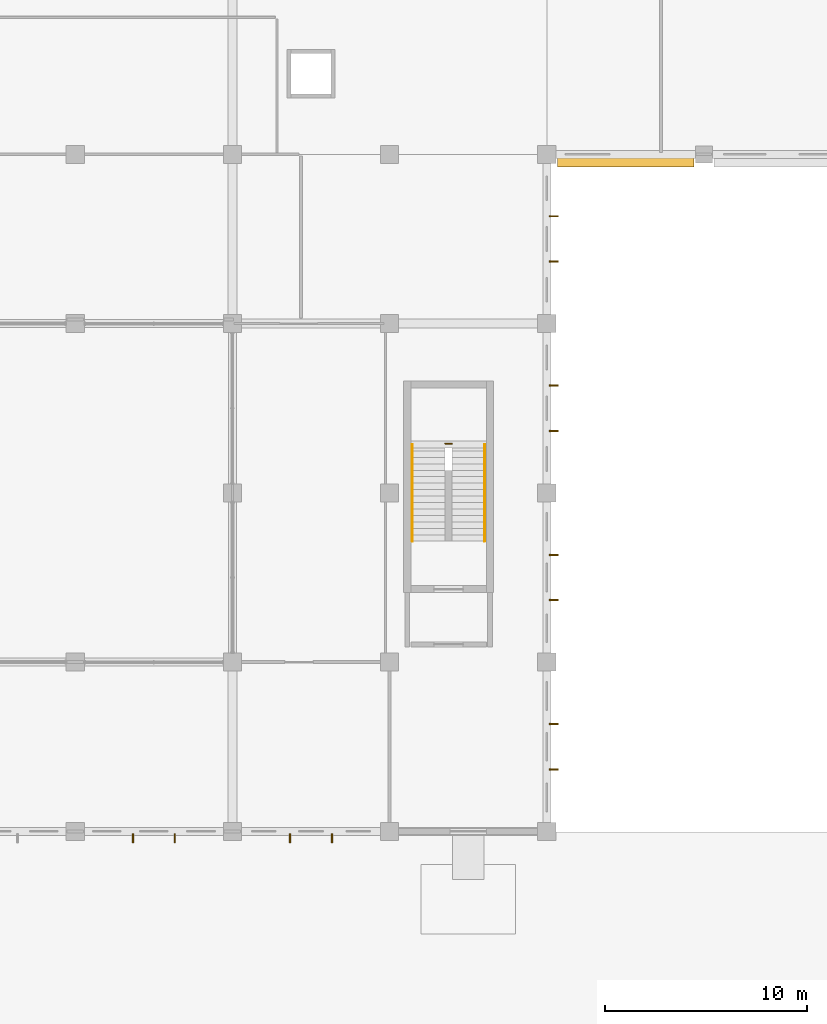
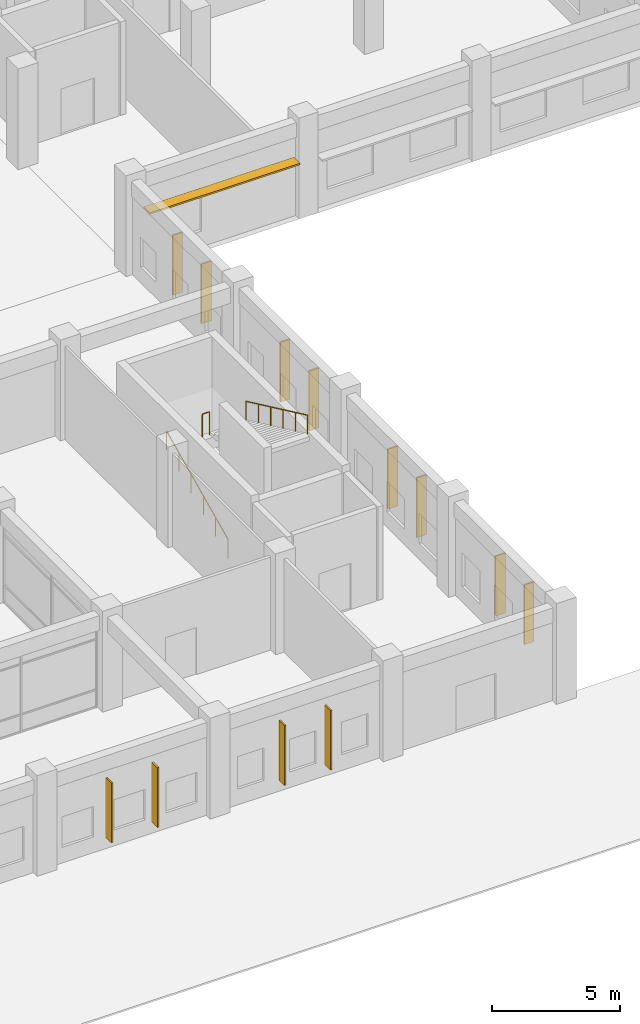
# One storey, part 71 of 74: 13 shading devices, 3 railings.
"""IFC4 building model written with IfcOpenShell, lengths in metres."""

from ifc_helpers import new_model, si_unit, direction, frame, origin, origin_2d, place, context, subcontext, project, spatial, rectangle, circle, extrude, material, layer, layer_set, type_object, element, save


model = new_model("IFC4")

# Units and contexts
model_context = context("Model", 3, precision=1e-05, world=origin(), true_north=direction((0.0, 1.0)))
body_context = subcontext(model_context, "Body", "Model", "MODEL_VIEW")
ifc_project = project(units=[si_unit("LENGTHUNIT", "METRE"), si_unit("AREAUNIT", "SQUARE_METRE"), si_unit("VOLUMEUNIT", "CUBIC_METRE"), si_unit("PLANEANGLEUNIT", "RADIAN"), si_unit("MASSUNIT", "GRAM", prefix="KILO"), si_unit("THERMODYNAMICTEMPERATUREUNIT", "KELVIN"), si_unit("POWERUNIT", "WATT")], contexts=[model_context])

# Site, building, storey
site_placement = place(None, origin())
site = spatial("IfcSite", under=ifc_project, at=site_placement, CompositionType="ELEMENT")
building_placement = place(site_placement, origin())
building = spatial("IfcBuilding", under=site, at=building_placement, Name="Srebrne Nadtorze General Hospital", CompositionType="ELEMENT")
storey_placement = place(building_placement, origin())
storey = spatial("IfcBuildingStorey", under=building, at=storey_placement, Name="L00", CompositionType="ELEMENT", Elevation=0.0)

# Shading devices
ifc_material_1 = material(Name="Anodised Aluminium", Category="aluminium")
ifc_layer_1 = layer(ifc_material_1, 0.080078125)
ifc_layer_set_1 = layer_set([ifc_layer_1], Name="Anodised Aluminium")
shading_device_type_1 = type_object("IfcShadingDeviceType", Name="Hisashi horizontal aluminium sunshade", PredefinedType="JALOUSIE", material=ifc_layer_set_1)
shading_device_placement = place(storey_placement, frame((152.112548828125, 33.219970703125, 2.719970703125), z_axis=(0.0, 0.0, 1.0), x_axis=(1.0, 0.0, 0.0)))
element("IfcShadingDevice", 1, at=shading_device_placement, inside=storey, type_object=shading_device_type_1, Name="Hisashi horizontal sunshade eave LV-023", PredefinedType="JALOUSIE", context=body_context, shape_type="SweptSolid", body=[
    extrude(rectangle(XDim=6.764892578125, YDim=0.47998046875, at=origin_2d()), origin(), (0.0, 0.0, 1.0), 0.080078125),
])
ifc_material_2 = material(Name="Anodised Aluminium", Category="aluminium")
ifc_layer_2 = layer(ifc_material_2, 0.070068359375)
ifc_layer_set_2 = layer_set([ifc_layer_2], Name="Anodised Aluminium")
shading_device_type_2 = type_object("IfcShadingDeviceType", Name="Koushi vertical brise-soleil fin", PredefinedType="SHUTTER", material=ifc_layer_set_2)
for number, where, z_axis, x_axis, name in (
    (2, (127.6650390625, -0.35009765625, 0.52490234375), (0.0, 0.0, 1.0), (1.0, 0.0, 0.0), "Clinic koushi vertical fin LV-016"),
    (3, (129.735107421875, -0.35009765625, 0.52490234375), (0.0, 0.0, 1.0), (1.0, 0.0, 0.0), "Clinic koushi vertical fin LV-017"),
    (4, (135.465087890625, -0.35009765625, 0.52490234375), (0.0, 0.0, 1.0), (1.0, 0.0, 0.0), "Clinic koushi vertical fin LV-018"),
    (5, (137.534912109375, -0.35009765625, 0.52490234375), (0.0, 0.0, 1.0), (1.0, 0.0, 0.0), "Clinic koushi vertical fin LV-019"),
):
    element("IfcShadingDevice", number, at=place(storey_placement, frame(where, z_axis=z_axis, x_axis=x_axis)), inside=storey, type_object=shading_device_type_2, Name=name, PredefinedType="SHUTTER", context=body_context, shape_type="SweptSolid", body=[
        extrude(rectangle(XDim=0.070068359375, YDim=0.43994140625, at=origin_2d()), origin(), (0.0, 0.0, 1.0), 2.85009765625),
    ])
for number, where, z_axis, x_axis, name in (
    (6, (148.550048828125, 3.074951171875, 0.52490234375), (0.0, 0.0, 1.0), (1.0, 0.0, 0.0), "Clinic koushi vertical fin LV-037"),
    (7, (148.550048828125, 5.324951171875, 0.52490234375), (0.0, 0.0, 1.0), (1.0, 0.0, 0.0), "Clinic koushi vertical fin LV-038"),
    (8, (148.550048828125, 11.47509765625, 0.52490234375), (0.0, 0.0, 1.0), (1.0, 0.0, 0.0), "Clinic koushi vertical fin LV-039"),
    (9, (148.550048828125, 13.72509765625, 0.52490234375), (0.0, 0.0, 1.0), (1.0, 0.0, 0.0), "Clinic koushi vertical fin LV-040"),
    (10, (148.550048828125, 19.875, 0.52490234375), (0.0, 0.0, 1.0), (1.0, 0.0, 0.0), "Clinic koushi vertical fin LV-041"),
    (11, (148.550048828125, 22.125, 0.52490234375), (0.0, 0.0, 1.0), (1.0, 0.0, 0.0), "Clinic koushi vertical fin LV-042"),
    (12, (148.550048828125, 28.27490234375, 0.52490234375), (0.0, 0.0, 1.0), (1.0, 0.0, 0.0), "Clinic koushi vertical fin LV-043"),
    (13, (148.550048828125, 30.52490234375, 0.52490234375), (0.0, 0.0, 1.0), (1.0, 0.0, 0.0), "Clinic koushi vertical fin LV-044"),
):
    element("IfcShadingDevice", number, at=place(storey_placement, frame(where, z_axis=z_axis, x_axis=x_axis)), inside=storey, type_object=shading_device_type_2, Name=name, PredefinedType="SHUTTER", context=body_context, shape_type="SweptSolid", body=[
        extrude(rectangle(XDim=0.43994140625, YDim=0.070068359375, at=origin_2d()), origin(), (0.0, 0.0, 1.0), 2.85009765625),
    ])

# Railings
ifc_material_3 = material(Name="Stainless Steel 316", Category="steel")
railing_type_1 = type_object("IfcRailingType", Name="Stairwell safety guard 1120", PredefinedType="BALUSTRADE", material=ifc_material_3)
railing_1_placement = place(storey_placement, frame((143.1650390625, 19.239990234375, 2.39990234375)))
element("IfcRailing", 14, at=railing_1_placement, inside=storey, type_object=railing_type_1, Name="Half landing well guard ST-08-L00", PredefinedType="BALUSTRADE", context=body_context, shape_type="SweptSolid", body=[
    extrude(circle(Radius=0.02392578125, at=origin_2d()), frame((0.0, 0.0, 1.09619140625), z_axis=(1.0, 0.0, 0.0), x_axis=(0.0, 1.0, 0.0)), (0.0, 0.0, 1.0), 0.320068359375),
    extrude(circle(Radius=0.02099609375, at=origin_2d()), origin(), (0.0, 0.0, 1.0), 1.072021484375),
    extrude(circle(Radius=0.02099609375, at=origin_2d()), frame((0.320068359375, 0.0, 0.0)), (0.0, 0.0, 1.0), 1.072021484375),
])
ifc_material_4 = material(Name="Stainless Steel 316", Category="steel")
railing_type_2 = type_object("IfcRailingType", Name="Tubular stainless handrail 920", PredefinedType="HANDRAIL", material=ifc_material_4)
railing_2_placement = place(storey_placement, frame((141.530029296875, 14.39990234375, 0.14990234375)))
element("IfcRailing", 15, at=railing_2_placement, inside=storey, type_object=railing_type_2, Name="Stair flight handrail ST-08-L00 F1", PredefinedType="HANDRAIL", context=body_context, shape_type="SweptSolid", body=[
    extrude(circle(Radius=0.02392578125, at=origin_2d()), frame((0.0, 0.0, 0.89599609375), z_axis=(0.0, 0.90546059521, 0.424430336476), x_axis=(-1.0, 0.0, 0.0)), (0.0, 0.0, 1.0), 5.30126953125),
    extrude(circle(Radius=0.02099609375, at=origin_2d()), origin(), (0.0, 0.0, 1.0), 0.871826171875),
    extrude(circle(Radius=0.02099609375, at=origin_2d()), frame((0.0, 0.9599609375, 0.449951171875)), (0.0, 0.0, 1.0), 0.871826171875),
    extrude(circle(Radius=0.02099609375, at=origin_2d()), frame((0.0, 1.919921875, 0.89990234375)), (0.0, 0.0, 1.0), 0.871826171875),
    extrude(circle(Radius=0.02099609375, at=origin_2d()), frame((0.0, 2.880126953125, 1.35009765625)), (0.0, 0.0, 1.0), 0.871826171875),
    extrude(circle(Radius=0.02099609375, at=origin_2d()), frame((0.0, 3.840087890625, 1.800048828125)), (0.0, 0.0, 1.0), 0.871826171875),
    extrude(circle(Radius=0.02099609375, at=origin_2d()), frame((0.0, 4.800048828125, 2.25)), (0.0, 0.0, 1.0), 0.871826171875),
])
railing_3_placement = place(storey_placement, frame((145.1201171875, 19.199951171875, 2.550048828125)))
element("IfcRailing", 16, at=railing_3_placement, inside=storey, type_object=railing_type_2, Name="Stair flight handrail ST-08-L00 F2", PredefinedType="HANDRAIL", context=body_context, shape_type="SweptSolid", body=[
    extrude(circle(Radius=0.02392578125, at=origin_2d()), frame((0.0, 0.0, 0.89599609375), z_axis=(0.0, -0.90546059521, 0.424430336476), x_axis=(1.0, 0.0, 0.0)), (0.0, 0.0, 1.0), 5.30126953125),
    extrude(circle(Radius=0.02099609375, at=origin_2d()), origin(), (0.0, 0.0, 1.0), 0.871826171875),
    extrude(circle(Radius=0.02099609375, at=origin_2d()), frame((0.0, -0.9599609375, 0.449951171875)), (0.0, 0.0, 1.0), 0.871826171875),
    extrude(circle(Radius=0.02099609375, at=origin_2d()), frame((0.0, -1.919921875, 0.89990234375)), (0.0, 0.0, 1.0), 0.871826171875),
    extrude(circle(Radius=0.02099609375, at=origin_2d()), frame((0.0, -2.880126953125, 1.35009765625)), (0.0, 0.0, 1.0), 0.871826171875),
    extrude(circle(Radius=0.02099609375, at=origin_2d()), frame((0.0, -3.840087890625, 1.800048828125)), (0.0, 0.0, 1.0), 0.871826171875),
    extrude(circle(Radius=0.02099609375, at=origin_2d()), frame((0.0, -4.800048828125, 2.25)), (0.0, 0.0, 1.0), 0.871826171875),
])

save(model, "model.ifc")
